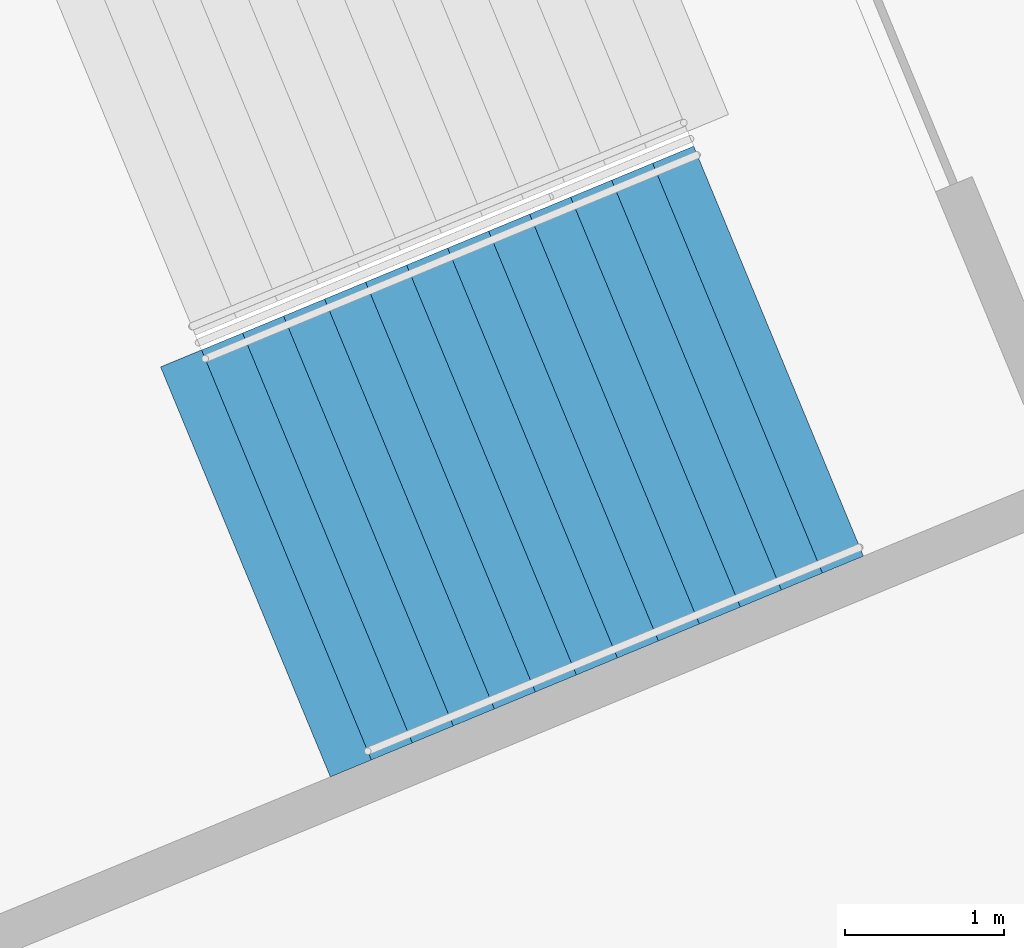
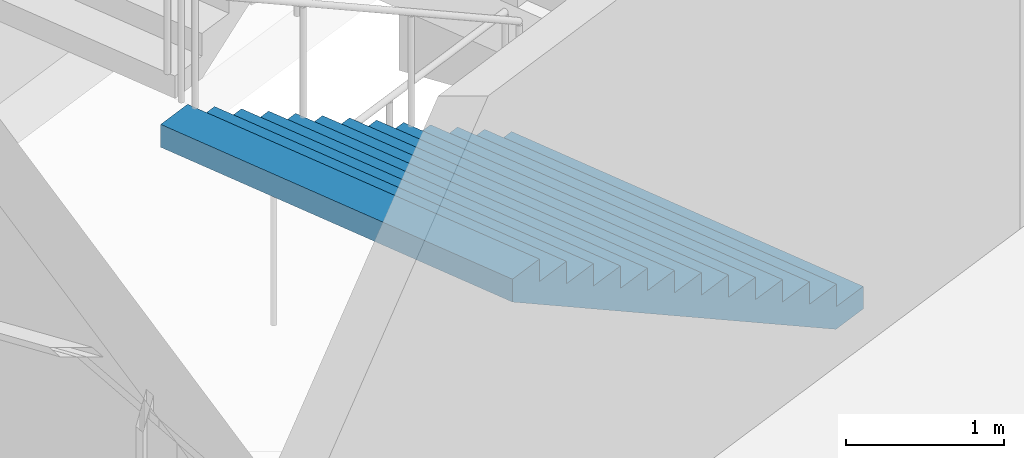
# One storey, part 104 of 199: 1 stair flight, 1 element without a shape of its own.
"""IFC4 building model written with IfcOpenShell, lengths in metres."""

from ifc_helpers import new_model, si_unit, direction, frame, origin, place, context, subcontext, project, spatial, faceted_brep, material, type_object, element, aggregate, save


model = new_model("IFC4")

# Units and contexts
model_context = context("Model", 3, precision=1e-05, world=origin(), true_north=direction((0.0, 1.0)))
body_context = subcontext(model_context, "Body", "Model", "MODEL_VIEW")
ifc_project = project(units=[si_unit("LENGTHUNIT", "METRE"), si_unit("AREAUNIT", "SQUARE_METRE"), si_unit("VOLUMEUNIT", "CUBIC_METRE"), si_unit("PLANEANGLEUNIT", "RADIAN"), si_unit("MASSUNIT", "GRAM", prefix="KILO")], contexts=[model_context])

# Site, building, storey
site_placement = place(None, origin())
site = spatial("IfcSite", under=ifc_project, at=site_placement, CompositionType="ELEMENT")
building_placement = place(site_placement, origin())
building = spatial("IfcBuilding", under=site, at=building_placement, Name="Ogive Plaza Stadium", CompositionType="ELEMENT")
storey_placement = place(building_placement, frame((0.0, 0.0, 9.0)))
storey = spatial("IfcBuildingStorey", under=building, at=storey_placement, Name="L02", CompositionType="ELEMENT", Elevation=9.0)

# Stair, stair flight
ifc_material_1 = material(Name="Concrete C40/50", Category="concrete")
stair_type = type_object("IfcStairType", Name="Exit stair", PredefinedType="STRAIGHT_RUN_STAIR", material=ifc_material_1)
stair_placement = place(storey_placement, origin())
stair = element("IfcStair", 1, at=stair_placement, inside=storey, type_object=stair_type, Name="Exit stair ST20B L02 to L03", PredefinedType="STRAIGHT_RUN_STAIR")
ifc_material_2 = material(Name="Concrete C40/50", Category="concrete")
stair_flight_type = type_object("IfcStairFlightType", Name="Exit stair flight", PredefinedType="STRAIGHT", material=ifc_material_2)
stair_flight_placement = place(storey_placement, frame((-71.432861328125, -72.794921875, 0.0), z_axis=(0.0, 0.0, 1.0), x_axis=(-0.923879532511, -0.382683432365, 0.0)))
stair_flight = element("IfcStairFlight", 2, at=stair_flight_placement, type_object=stair_flight_type, Name="ST20B flight 1", NumberOfRisers=13, NumberOfTreads=12, PredefinedType="STRAIGHT", RiserHeight=0.173076923, TreadLength=0.28, context=body_context, shape_type="Brep", body=[
    faceted_brep([(0.28515625, -1.39990234375, 0.0), (3.639892578125, -1.39990234375, 2.07373046875), (3.639892578125, -1.39990234375, 2.25), (3.360107421875, -1.39990234375, 2.25), (3.360107421875, -1.39990234375, 2.076904296875), (3.080078125, -1.39990234375, 2.076904296875), (3.080078125, -1.39990234375, 1.90380859375), (2.800048828125, -1.39990234375, 1.90380859375), (2.800048828125, -1.39990234375, 1.730712890625), (2.52001953125, -1.39990234375, 1.730712890625), (2.52001953125, -1.39990234375, 1.5576171875), (2.239990234375, -1.39990234375, 1.5576171875), (2.239990234375, -1.39990234375, 1.384521484375), (1.9599609375, -1.39990234375, 1.384521484375), (1.9599609375, -1.39990234375, 1.21142578125), (1.679931640625, -1.39990234375, 1.21142578125), (1.679931640625, -1.39990234375, 1.03857421875), (1.39990234375, -1.39990234375, 1.03857421875), (1.39990234375, -1.39990234375, 0.865478515625), (1.1201171875, -1.39990234375, 0.865478515625), (1.1201171875, -1.39990234375, 0.6923828125), (0.840087890625, -1.39990234375, 0.6923828125), (0.840087890625, -1.39990234375, 0.519287109375), (0.56005859375, -1.39990234375, 0.519287109375), (0.56005859375, -1.39990234375, 0.34619140625), (0.280029296875, -1.39990234375, 0.34619140625), (0.280029296875, -1.39990234375, 0.173095703125), (0.0, -1.39990234375, 0.173095703125), (0.0, -1.39990234375, 0.0), (0.0, 1.39990234375, 0.0), (0.0, 1.39990234375, 0.173095703125), (0.280029296875, 1.39990234375, 0.173095703125), (0.280029296875, 1.39990234375, 0.34619140625), (0.56005859375, 1.39990234375, 0.34619140625), (0.56005859375, 1.39990234375, 0.519287109375), (0.840087890625, 1.39990234375, 0.519287109375), (0.840087890625, 1.39990234375, 0.6923828125), (1.1201171875, 1.39990234375, 0.6923828125), (1.1201171875, 1.39990234375, 0.865478515625), (1.39990234375, 1.39990234375, 0.865478515625), (1.39990234375, 1.39990234375, 1.03857421875), (1.679931640625, 1.39990234375, 1.03857421875), (1.679931640625, 1.39990234375, 1.21142578125), (1.9599609375, 1.39990234375, 1.21142578125), (1.9599609375, 1.39990234375, 1.384521484375), (2.239990234375, 1.39990234375, 1.384521484375), (2.239990234375, 1.39990234375, 1.5576171875), (2.52001953125, 1.39990234375, 1.5576171875), (2.52001953125, 1.39990234375, 1.730712890625), (2.800048828125, 1.39990234375, 1.730712890625), (2.800048828125, 1.39990234375, 1.90380859375), (3.080078125, 1.39990234375, 1.90380859375), (3.080078125, 1.39990234375, 2.076904296875), (3.360107421875, 1.39990234375, 2.076904296875), (3.360107421875, 1.39990234375, 2.25), (3.639892578125, 1.39990234375, 2.25), (3.639892578125, 1.39990234375, 2.07373046875), (0.28515625, 1.39990234375, 0.0), (0.28515625, -1.0888671875, 0.0), (3.639892578125, -1.0888671875, 2.07373046875), (0.28515625, -0.77783203125, 0.0), (3.639892578125, -0.77783203125, 2.07373046875), (0.28515625, -0.466796875, 0.0), (3.639892578125, -0.466796875, 2.07373046875), (0.28515625, -0.155517578125, 0.0), (3.639892578125, -0.155517578125, 2.07373046875), (0.28515625, 0.155517578125, 0.0), (3.639892578125, 0.155517578125, 2.07373046875), (0.28515625, 0.466796875, 0.0), (3.639892578125, 0.466796875, 2.07373046875), (0.28515625, 0.77783203125, 0.0), (3.639892578125, 0.77783203125, 2.07373046875), (0.28515625, 1.0888671875, 0.0), (3.639892578125, 1.0888671875, 2.07373046875), (3.639892578125, -1.0888671875, 2.25), (3.639892578125, -0.77783203125, 2.25), (3.639892578125, -0.466796875, 2.25), (3.639892578125, -0.155517578125, 2.25), (3.639892578125, 0.155517578125, 2.25), (3.639892578125, 0.466796875, 2.25), (3.639892578125, 0.77783203125, 2.25), (3.639892578125, 1.0888671875, 2.25), (3.360107421875, -1.0888671875, 2.25), (3.360107421875, -0.77783203125, 2.25), (3.360107421875, -0.466796875, 2.25), (3.360107421875, -0.155517578125, 2.25), (3.360107421875, 0.155517578125, 2.25), (3.360107421875, 0.466796875, 2.25), (3.360107421875, 0.77783203125, 2.25), (3.360107421875, 1.0888671875, 2.25), (3.360107421875, -1.0888671875, 2.076904296875), (3.360107421875, -0.77783203125, 2.076904296875), (3.360107421875, -0.466796875, 2.076904296875), (3.360107421875, -0.155517578125, 2.076904296875), (3.360107421875, 0.155517578125, 2.076904296875), (3.360107421875, 0.466796875, 2.076904296875), (3.360107421875, 0.77783203125, 2.076904296875), (3.360107421875, 1.0888671875, 2.076904296875), (3.080078125, -1.0888671875, 2.076904296875), (3.080078125, -0.77783203125, 2.076904296875), (3.080078125, -0.466796875, 2.076904296875), (3.080078125, -0.155517578125, 2.076904296875), (3.080078125, 0.155517578125, 2.076904296875), (3.080078125, 0.466796875, 2.076904296875), (3.080078125, 0.77783203125, 2.076904296875), (3.080078125, 1.0888671875, 2.076904296875), (3.080078125, -1.0888671875, 1.90380859375), (3.080078125, -0.77783203125, 1.90380859375), (3.080078125, -0.466796875, 1.90380859375), (3.080078125, -0.155517578125, 1.90380859375), (3.080078125, 0.155517578125, 1.90380859375), (3.080078125, 0.466796875, 1.90380859375), (3.080078125, 0.77783203125, 1.90380859375), (3.080078125, 1.0888671875, 1.90380859375), (2.800048828125, -1.0888671875, 1.90380859375), (2.800048828125, -0.77783203125, 1.90380859375), (2.800048828125, -0.466796875, 1.90380859375), (2.800048828125, -0.155517578125, 1.90380859375), (2.800048828125, 0.155517578125, 1.90380859375), (2.800048828125, 0.466796875, 1.90380859375), (2.800048828125, 0.77783203125, 1.90380859375), (2.800048828125, 1.0888671875, 1.90380859375), (2.800048828125, -1.0888671875, 1.730712890625), (2.800048828125, -0.77783203125, 1.730712890625), (2.800048828125, -0.466796875, 1.730712890625), (2.800048828125, -0.155517578125, 1.730712890625), (2.800048828125, 0.155517578125, 1.730712890625), (2.800048828125, 0.466796875, 1.730712890625), (2.800048828125, 0.77783203125, 1.730712890625), (2.800048828125, 1.0888671875, 1.730712890625), (2.52001953125, -1.0888671875, 1.730712890625), (2.52001953125, -0.77783203125, 1.730712890625), (2.52001953125, -0.466796875, 1.730712890625), (2.52001953125, -0.155517578125, 1.730712890625), (2.52001953125, 0.155517578125, 1.730712890625), (2.52001953125, 0.466796875, 1.730712890625), (2.52001953125, 0.77783203125, 1.730712890625), (2.52001953125, 1.0888671875, 1.730712890625), (2.52001953125, -1.0888671875, 1.5576171875), (2.52001953125, -0.77783203125, 1.5576171875), (2.52001953125, -0.466796875, 1.5576171875), (2.52001953125, -0.155517578125, 1.5576171875), (2.52001953125, 0.155517578125, 1.5576171875), (2.52001953125, 0.466796875, 1.5576171875), (2.52001953125, 0.77783203125, 1.5576171875), (2.52001953125, 1.0888671875, 1.5576171875), (2.239990234375, -1.0888671875, 1.5576171875), (2.239990234375, -0.77783203125, 1.5576171875), (2.239990234375, -0.466796875, 1.5576171875), (2.239990234375, -0.155517578125, 1.5576171875), (2.239990234375, 0.155517578125, 1.5576171875), (2.239990234375, 0.466796875, 1.5576171875), (2.239990234375, 0.77783203125, 1.5576171875), (2.239990234375, 1.0888671875, 1.5576171875), (2.239990234375, -1.0888671875, 1.384521484375), (2.239990234375, -0.77783203125, 1.384521484375), (2.239990234375, -0.466796875, 1.384521484375), (2.239990234375, -0.155517578125, 1.384521484375), (2.239990234375, 0.155517578125, 1.384521484375), (2.239990234375, 0.466796875, 1.384521484375), (2.239990234375, 0.77783203125, 1.384521484375), (2.239990234375, 1.0888671875, 1.384521484375), (1.9599609375, -1.0888671875, 1.384521484375), (1.9599609375, -0.77783203125, 1.384521484375), (1.9599609375, -0.466796875, 1.384521484375), (1.9599609375, -0.155517578125, 1.384521484375), (1.9599609375, 0.155517578125, 1.384521484375), (1.9599609375, 0.466796875, 1.384521484375), (1.9599609375, 0.77783203125, 1.384521484375), (1.9599609375, 1.0888671875, 1.384521484375), (1.9599609375, -1.0888671875, 1.21142578125), (1.9599609375, -0.77783203125, 1.21142578125), (1.9599609375, -0.466796875, 1.21142578125), (1.9599609375, -0.155517578125, 1.21142578125), (1.9599609375, 0.155517578125, 1.21142578125), (1.9599609375, 0.466796875, 1.21142578125), (1.9599609375, 0.77783203125, 1.21142578125), (1.9599609375, 1.0888671875, 1.21142578125), (1.679931640625, -1.0888671875, 1.21142578125), (1.679931640625, -0.77783203125, 1.21142578125), (1.679931640625, -0.466796875, 1.21142578125), (1.679931640625, -0.155517578125, 1.21142578125), (1.679931640625, 0.155517578125, 1.21142578125), (1.679931640625, 0.466796875, 1.21142578125), (1.679931640625, 0.77783203125, 1.21142578125), (1.679931640625, 1.0888671875, 1.21142578125), (1.679931640625, -1.0888671875, 1.03857421875), (1.679931640625, -0.77783203125, 1.03857421875), (1.679931640625, -0.466796875, 1.03857421875), (1.679931640625, -0.155517578125, 1.03857421875), (1.679931640625, 0.155517578125, 1.03857421875), (1.679931640625, 0.466796875, 1.03857421875), (1.679931640625, 0.77783203125, 1.03857421875), (1.679931640625, 1.0888671875, 1.03857421875), (1.39990234375, -1.0888671875, 1.03857421875), (1.39990234375, -0.77783203125, 1.03857421875), (1.39990234375, -0.466796875, 1.03857421875), (1.39990234375, -0.155517578125, 1.03857421875), (1.39990234375, 0.155517578125, 1.03857421875), (1.39990234375, 0.466796875, 1.03857421875), (1.39990234375, 0.77783203125, 1.03857421875), (1.39990234375, 1.0888671875, 1.03857421875), (1.39990234375, -1.0888671875, 0.865478515625), (1.39990234375, -0.77783203125, 0.865478515625), (1.39990234375, -0.466796875, 0.865478515625), (1.39990234375, -0.155517578125, 0.865478515625), (1.39990234375, 0.155517578125, 0.865478515625), (1.39990234375, 0.466796875, 0.865478515625), (1.39990234375, 0.77783203125, 0.865478515625), (1.39990234375, 1.0888671875, 0.865478515625), (1.1201171875, -1.0888671875, 0.865478515625), (1.1201171875, -0.77783203125, 0.865478515625), (1.1201171875, -0.466796875, 0.865478515625), (1.1201171875, -0.155517578125, 0.865478515625), (1.1201171875, 0.155517578125, 0.865478515625), (1.1201171875, 0.466796875, 0.865478515625), (1.1201171875, 0.77783203125, 0.865478515625), (1.1201171875, 1.0888671875, 0.865478515625), (1.1201171875, -1.0888671875, 0.6923828125), (1.1201171875, -0.77783203125, 0.6923828125), (1.1201171875, -0.466796875, 0.6923828125), (1.1201171875, -0.155517578125, 0.6923828125), (1.1201171875, 0.155517578125, 0.6923828125), (1.1201171875, 0.466796875, 0.6923828125), (1.1201171875, 0.77783203125, 0.6923828125), (1.1201171875, 1.0888671875, 0.6923828125), (0.840087890625, -1.0888671875, 0.6923828125), (0.840087890625, -0.77783203125, 0.6923828125), (0.840087890625, -0.466796875, 0.6923828125), (0.840087890625, -0.155517578125, 0.6923828125), (0.840087890625, 0.155517578125, 0.6923828125), (0.840087890625, 0.466796875, 0.6923828125), (0.840087890625, 0.77783203125, 0.6923828125), (0.840087890625, 1.0888671875, 0.6923828125), (0.840087890625, -1.0888671875, 0.519287109375), (0.840087890625, -0.77783203125, 0.519287109375), (0.840087890625, -0.466796875, 0.519287109375), (0.840087890625, -0.155517578125, 0.519287109375), (0.840087890625, 0.155517578125, 0.519287109375), (0.840087890625, 0.466796875, 0.519287109375), (0.840087890625, 0.77783203125, 0.519287109375), (0.840087890625, 1.0888671875, 0.519287109375), (0.56005859375, -1.0888671875, 0.519287109375), (0.56005859375, -0.77783203125, 0.519287109375), (0.56005859375, -0.466796875, 0.519287109375), (0.56005859375, -0.155517578125, 0.519287109375), (0.56005859375, 0.155517578125, 0.519287109375), (0.56005859375, 0.466796875, 0.519287109375), (0.56005859375, 0.77783203125, 0.519287109375), (0.56005859375, 1.0888671875, 0.519287109375), (0.56005859375, -1.0888671875, 0.34619140625), (0.56005859375, -0.77783203125, 0.34619140625), (0.56005859375, -0.466796875, 0.34619140625), (0.56005859375, -0.155517578125, 0.34619140625), (0.56005859375, 0.155517578125, 0.34619140625), (0.56005859375, 0.466796875, 0.34619140625), (0.56005859375, 0.77783203125, 0.34619140625), (0.56005859375, 1.0888671875, 0.34619140625), (0.280029296875, -1.0888671875, 0.34619140625), (0.280029296875, -0.77783203125, 0.34619140625), (0.280029296875, -0.466796875, 0.34619140625), (0.280029296875, -0.155517578125, 0.34619140625), (0.280029296875, 0.155517578125, 0.34619140625), (0.280029296875, 0.466796875, 0.34619140625), (0.280029296875, 0.77783203125, 0.34619140625), (0.280029296875, 1.0888671875, 0.34619140625), (0.280029296875, -1.0888671875, 0.173095703125), (0.280029296875, -0.77783203125, 0.173095703125), (0.280029296875, -0.466796875, 0.173095703125), (0.280029296875, -0.155517578125, 0.173095703125), (0.280029296875, 0.155517578125, 0.173095703125), (0.280029296875, 0.466796875, 0.173095703125), (0.280029296875, 0.77783203125, 0.173095703125), (0.280029296875, 1.0888671875, 0.173095703125), (0.0, -1.0888671875, 0.173095703125), (0.0, -0.77783203125, 0.173095703125), (0.0, -0.466796875, 0.173095703125), (0.0, -0.155517578125, 0.173095703125), (0.0, 0.155517578125, 0.173095703125), (0.0, 0.466796875, 0.173095703125), (0.0, 0.77783203125, 0.173095703125), (0.0, 1.0888671875, 0.173095703125), (0.0, -1.0888671875, 0.0), (0.0, -0.77783203125, 0.0), (0.0, -0.466796875, 0.0), (0.0, -0.155517578125, 0.0), (0.0, 0.155517578125, 0.0), (0.0, 0.466796875, 0.0), (0.0, 0.77783203125, 0.0), (0.0, 1.0888671875, 0.0)], [[[0, 1, 2, 3, 4, 5, 6, 7, 8, 9, 10, 11, 12, 13, 14, 15, 16, 17, 18, 19, 20, 21, 22, 23, 24, 25, 26, 27, 28]], [[29, 30, 31, 32, 33, 34, 35, 36, 37, 38, 39, 40, 41, 42, 43, 44, 45, 46, 47, 48, 49, 50, 51, 52, 53, 54, 55, 56, 57]], [[0, 58, 59, 1]], [[58, 60, 61, 59]], [[60, 62, 63, 61]], [[62, 64, 65, 63]], [[64, 66, 67, 65]], [[66, 68, 69, 67]], [[68, 70, 71, 69]], [[70, 72, 73, 71]], [[72, 57, 56, 73]], [[1, 59, 74, 2]], [[59, 61, 75, 74]], [[61, 63, 76, 75]], [[63, 65, 77, 76]], [[65, 67, 78, 77]], [[67, 69, 79, 78]], [[69, 71, 80, 79]], [[71, 73, 81, 80]], [[73, 56, 55, 81]], [[2, 74, 82, 3]], [[74, 75, 83, 82]], [[75, 76, 84, 83]], [[76, 77, 85, 84]], [[77, 78, 86, 85]], [[78, 79, 87, 86]], [[79, 80, 88, 87]], [[80, 81, 89, 88]], [[81, 55, 54, 89]], [[3, 82, 90, 4]], [[82, 83, 91, 90]], [[83, 84, 92, 91]], [[84, 85, 93, 92]], [[85, 86, 94, 93]], [[86, 87, 95, 94]], [[87, 88, 96, 95]], [[88, 89, 97, 96]], [[89, 54, 53, 97]], [[4, 90, 98, 5]], [[90, 91, 99, 98]], [[91, 92, 100, 99]], [[92, 93, 101, 100]], [[93, 94, 102, 101]], [[94, 95, 103, 102]], [[95, 96, 104, 103]], [[96, 97, 105, 104]], [[97, 53, 52, 105]], [[5, 98, 106, 6]], [[98, 99, 107, 106]], [[99, 100, 108, 107]], [[100, 101, 109, 108]], [[101, 102, 110, 109]], [[102, 103, 111, 110]], [[103, 104, 112, 111]], [[104, 105, 113, 112]], [[105, 52, 51, 113]], [[6, 106, 114, 7]], [[106, 107, 115, 114]], [[107, 108, 116, 115]], [[108, 109, 117, 116]], [[109, 110, 118, 117]], [[110, 111, 119, 118]], [[111, 112, 120, 119]], [[112, 113, 121, 120]], [[113, 51, 50, 121]], [[7, 114, 122, 8]], [[114, 115, 123, 122]], [[115, 116, 124, 123]], [[116, 117, 125, 124]], [[117, 118, 126, 125]], [[118, 119, 127, 126]], [[119, 120, 128, 127]], [[120, 121, 129, 128]], [[121, 50, 49, 129]], [[8, 122, 130, 9]], [[122, 123, 131, 130]], [[123, 124, 132, 131]], [[124, 125, 133, 132]], [[125, 126, 134, 133]], [[126, 127, 135, 134]], [[127, 128, 136, 135]], [[128, 129, 137, 136]], [[129, 49, 48, 137]], [[9, 130, 138, 10]], [[130, 131, 139, 138]], [[131, 132, 140, 139]], [[132, 133, 141, 140]], [[133, 134, 142, 141]], [[134, 135, 143, 142]], [[135, 136, 144, 143]], [[136, 137, 145, 144]], [[137, 48, 47, 145]], [[10, 138, 146, 11]], [[138, 139, 147, 146]], [[139, 140, 148, 147]], [[140, 141, 149, 148]], [[141, 142, 150, 149]], [[142, 143, 151, 150]], [[143, 144, 152, 151]], [[144, 145, 153, 152]], [[145, 47, 46, 153]], [[11, 146, 154, 12]], [[146, 147, 155, 154]], [[147, 148, 156, 155]], [[148, 149, 157, 156]], [[149, 150, 158, 157]], [[150, 151, 159, 158]], [[151, 152, 160, 159]], [[152, 153, 161, 160]], [[153, 46, 45, 161]], [[12, 154, 162, 13]], [[154, 155, 163, 162]], [[155, 156, 164, 163]], [[156, 157, 165, 164]], [[157, 158, 166, 165]], [[158, 159, 167, 166]], [[159, 160, 168, 167]], [[160, 161, 169, 168]], [[161, 45, 44, 169]], [[13, 162, 170, 14]], [[162, 163, 171, 170]], [[163, 164, 172, 171]], [[164, 165, 173, 172]], [[165, 166, 174, 173]], [[166, 167, 175, 174]], [[167, 168, 176, 175]], [[168, 169, 177, 176]], [[169, 44, 43, 177]], [[14, 170, 178, 15]], [[170, 171, 179, 178]], [[171, 172, 180, 179]], [[172, 173, 181, 180]], [[173, 174, 182, 181]], [[174, 175, 183, 182]], [[175, 176, 184, 183]], [[176, 177, 185, 184]], [[177, 43, 42, 185]], [[15, 178, 186, 16]], [[178, 179, 187, 186]], [[179, 180, 188, 187]], [[180, 181, 189, 188]], [[181, 182, 190, 189]], [[182, 183, 191, 190]], [[183, 184, 192, 191]], [[184, 185, 193, 192]], [[185, 42, 41, 193]], [[16, 186, 194, 17]], [[186, 187, 195, 194]], [[187, 188, 196, 195]], [[188, 189, 197, 196]], [[189, 190, 198, 197]], [[190, 191, 199, 198]], [[191, 192, 200, 199]], [[192, 193, 201, 200]], [[193, 41, 40, 201]], [[17, 194, 202, 18]], [[194, 195, 203, 202]], [[195, 196, 204, 203]], [[196, 197, 205, 204]], [[197, 198, 206, 205]], [[198, 199, 207, 206]], [[199, 200, 208, 207]], [[200, 201, 209, 208]], [[201, 40, 39, 209]], [[18, 202, 210, 19]], [[202, 203, 211, 210]], [[203, 204, 212, 211]], [[204, 205, 213, 212]], [[205, 206, 214, 213]], [[206, 207, 215, 214]], [[207, 208, 216, 215]], [[208, 209, 217, 216]], [[209, 39, 38, 217]], [[19, 210, 218, 20]], [[210, 211, 219, 218]], [[211, 212, 220, 219]], [[212, 213, 221, 220]], [[213, 214, 222, 221]], [[214, 215, 223, 222]], [[215, 216, 224, 223]], [[216, 217, 225, 224]], [[217, 38, 37, 225]], [[20, 218, 226, 21]], [[218, 219, 227, 226]], [[219, 220, 228, 227]], [[220, 221, 229, 228]], [[221, 222, 230, 229]], [[222, 223, 231, 230]], [[223, 224, 232, 231]], [[224, 225, 233, 232]], [[225, 37, 36, 233]], [[21, 226, 234, 22]], [[226, 227, 235, 234]], [[227, 228, 236, 235]], [[228, 229, 237, 236]], [[229, 230, 238, 237]], [[230, 231, 239, 238]], [[231, 232, 240, 239]], [[232, 233, 241, 240]], [[233, 36, 35, 241]], [[22, 234, 242, 23]], [[234, 235, 243, 242]], [[235, 236, 244, 243]], [[236, 237, 245, 244]], [[237, 238, 246, 245]], [[238, 239, 247, 246]], [[239, 240, 248, 247]], [[240, 241, 249, 248]], [[241, 35, 34, 249]], [[23, 242, 250, 24]], [[242, 243, 251, 250]], [[243, 244, 252, 251]], [[244, 245, 253, 252]], [[245, 246, 254, 253]], [[246, 247, 255, 254]], [[247, 248, 256, 255]], [[248, 249, 257, 256]], [[249, 34, 33, 257]], [[24, 250, 258, 25]], [[250, 251, 259, 258]], [[251, 252, 260, 259]], [[252, 253, 261, 260]], [[253, 254, 262, 261]], [[254, 255, 263, 262]], [[255, 256, 264, 263]], [[256, 257, 265, 264]], [[257, 33, 32, 265]], [[25, 258, 266, 26]], [[258, 259, 267, 266]], [[259, 260, 268, 267]], [[260, 261, 269, 268]], [[261, 262, 270, 269]], [[262, 263, 271, 270]], [[263, 264, 272, 271]], [[264, 265, 273, 272]], [[265, 32, 31, 273]], [[26, 266, 274, 27]], [[266, 267, 275, 274]], [[267, 268, 276, 275]], [[268, 269, 277, 276]], [[269, 270, 278, 277]], [[270, 271, 279, 278]], [[271, 272, 280, 279]], [[272, 273, 281, 280]], [[273, 31, 30, 281]], [[27, 274, 282, 28]], [[274, 275, 283, 282]], [[275, 276, 284, 283]], [[276, 277, 285, 284]], [[277, 278, 286, 285]], [[278, 279, 287, 286]], [[279, 280, 288, 287]], [[280, 281, 289, 288]], [[281, 30, 29, 289]], [[28, 282, 58, 0]], [[282, 283, 60, 58]], [[283, 284, 62, 60]], [[284, 285, 64, 62]], [[285, 286, 66, 64]], [[286, 287, 68, 66]], [[287, 288, 70, 68]], [[288, 289, 72, 70]], [[289, 29, 57, 72]]]),
])
aggregate(stair, [stair_flight])

save(model, "model.ifc")
